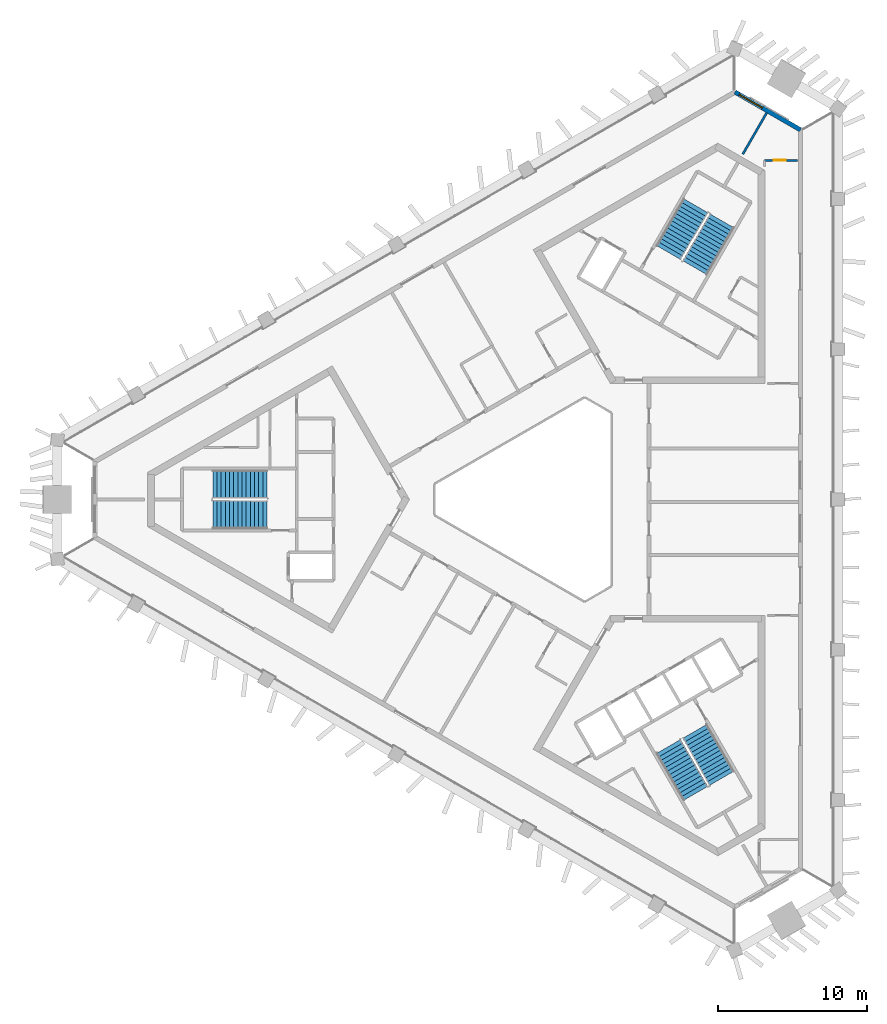
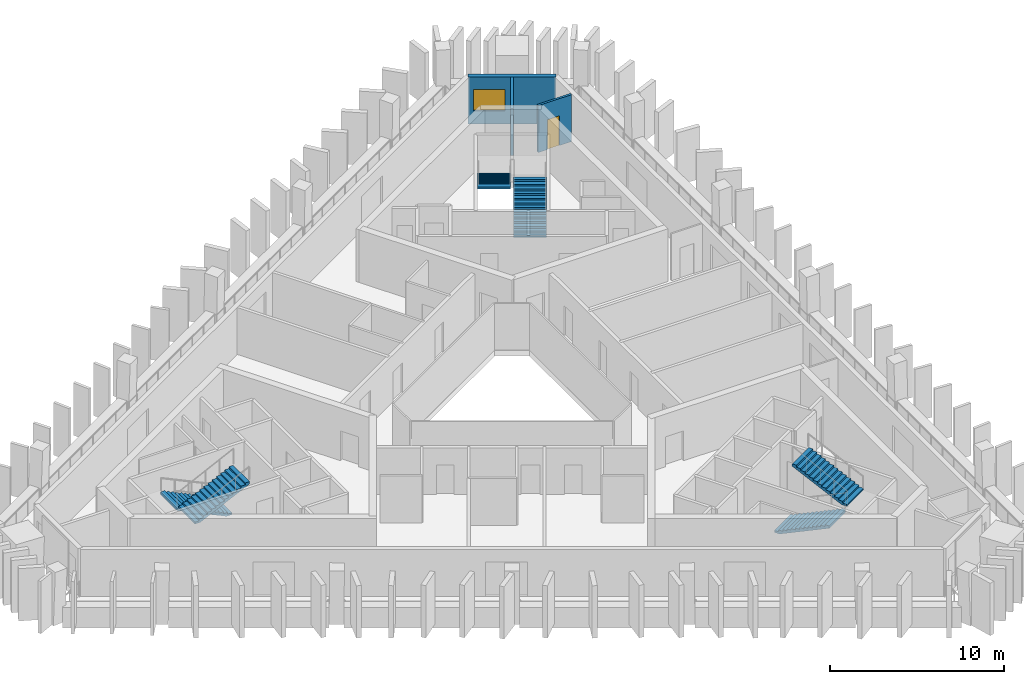
# One storey, part 6 of 9: 6 stair flights, 3 walls, 1 door, 1 window, 2 openings, 3 elements without a shape of their own.
"""IFC4 building model written with IfcOpenShell, lengths in metres."""

import ifcopenshell
import ifcopenshell.guid

model = None  # the IFC model being written
_history = None  # IfcOwnerHistory: only IFC2X3 demands one
_inside = {}  # id of a spatial element -> (the spatial element, [elements in it])
_under = {}  # id of a project, library or spatial element -> (it, [spatial elements below it])
_declared = {}  # id of a project -> (the project, [libraries it declares])
_typed = {}  # id of a type object -> (the type object, [elements of that type])
_made_of = {}  # id of a material, layer set ... -> (it, [elements and type objects made of it])


def new_model(schema):
    """Start an empty IFC model of exactly this schema.

    Asked for "IFC4X3", IfcOpenShell would pick the latest addendum, in which some entities
    have other attributes; the version numbers below select the first issue.
    IFC2X3 requires an IfcOwnerHistory on every rooted entity: one is made here for all.
    """
    global model, _history
    if schema == "IFC4X3":
        model = ifcopenshell.file(schema_version=(4, 3, 0, 0))
    else:
        model = ifcopenshell.file(schema=schema)
    _inside.clear()
    _under.clear()
    _declared.clear()
    _typed.clear()
    _made_of.clear()
    _history = None
    if model.schema == "IFC2X3":
        org = make("IfcOrganization", Name="unknown")
        user = make(
            "IfcPersonAndOrganization",
            ThePerson=make("IfcPerson", FamilyName="unknown"),
            TheOrganization=org,
        )
        app = make(
            "IfcApplication",
            ApplicationDeveloper=org,
            Version="unknown",
            ApplicationFullName="unknown",
            ApplicationIdentifier="unknown",
        )
        _history = make(
            "IfcOwnerHistory",
            OwningUser=user,
            OwningApplication=app,
            ChangeAction="ADDED",
            CreationDate=0,
        )
    return model


def make(cls, **values):
    """One entity of the class cls with the attributes given. An attribute that is None is left unset."""
    return model.create_entity(
        cls, **{name: value for name, value in values.items() if value is not None}
    )


def rooted(cls, **values):
    """An entity with a GlobalId (a new one), such as an element, a storey or a relation."""
    return make(cls, GlobalId=ifcopenshell.guid.new(), OwnerHistory=_history, **values)


def si_unit(unit_type, name, prefix=None):
    """IfcSIUnit, for example si_unit("LENGTHUNIT", "METRE", prefix="MILLI")."""
    return make("IfcSIUnit", UnitType=unit_type, Prefix=prefix, Name=name)


def assignment(units):
    """IfcUnitAssignment: the units of a project."""
    return None if units is None else make("IfcUnitAssignment", Units=units)


def point(xyz):
    """IfcCartesianPoint."""
    return None if xyz is None else make("IfcCartesianPoint", Coordinates=xyz)


def direction(xyz):
    """IfcDirection."""
    return None if xyz is None else make("IfcDirection", DirectionRatios=xyz)


def frame(location, z_axis=None, x_axis=None):
    """IfcAxis2Placement3D, a coordinate frame: its origin and axes. An axis left out is left unset."""
    return make(
        "IfcAxis2Placement3D",
        Location=point(location),
        Axis=direction(z_axis),
        RefDirection=direction(x_axis),
    )


def frame_2d(location, x_axis=None):
    """IfcAxis2Placement2D, a coordinate frame in the plane: its origin and x axis."""
    return make(
        "IfcAxis2Placement2D", Location=point(location), RefDirection=direction(x_axis)
    )


def origin():
    """The frame at (0, 0, 0) with its axes left unset."""
    return frame((0.0, 0.0, 0.0))


def place(relative_to, where):
    """IfcLocalPlacement: puts the frame where relative to a parent placement (None: the world)."""
    return make(
        "IfcLocalPlacement", PlacementRelTo=relative_to, RelativePlacement=where
    )


def context(
    kind, dimensions, precision=None, world=None, true_north=None, identifier=None
):
    """IfcGeometricRepresentationContext, for example the 3D "Model" context."""
    return make(
        "IfcGeometricRepresentationContext",
        ContextIdentifier=identifier,
        ContextType=kind,
        CoordinateSpaceDimension=dimensions,
        Precision=precision,
        WorldCoordinateSystem=world,
        TrueNorth=true_north,
    )


def subcontext(parent, identifier, kind, view, scale=None):
    """IfcGeometricRepresentationSubContext, for example "Body" below "Model"."""
    return make(
        "IfcGeometricRepresentationSubContext",
        ContextIdentifier=identifier,
        ContextType=kind,
        ParentContext=parent,
        TargetScale=scale,
        TargetView=view,
    )


def project(units=None, contexts=None):
    """IfcProject with its units and contexts."""
    return rooted(
        "IfcProject",
        Name="project",
        RepresentationContexts=contexts,
        UnitsInContext=assignment(units),
    )


def spatial(cls, under=None, at=None, **own):
    """A site, building, storey or space (cls), placed at a placement, below another one or the project."""
    s = rooted(cls, ObjectPlacement=at, **own)
    if under is not None:
        _under.setdefault(under.id(), (under, []))[1].append(s)
    return s


def polyline(points):
    """IfcPolyline through the points."""
    return make("IfcPolyline", Points=[point(p) for p in points])


def profile(cls, at=None, kind="AREA", **sizes):
    """A parametric profile (cls). Its sizes go by their IFC names, for example OverallWidth=200.0."""
    return make(cls, ProfileType=kind, Position=at, **sizes)


def rectangle(**sizes):
    """IfcRectangleProfileDef."""
    return profile("IfcRectangleProfileDef", **sizes)


def outline(outer, holes=None, kind="AREA"):
    """IfcArbitraryClosedProfileDef: a profile drawn as a closed curve; with holes, ...WithVoids."""
    if holes is None:
        return make("IfcArbitraryClosedProfileDef", ProfileType=kind, OuterCurve=outer)
    return make(
        "IfcArbitraryProfileDefWithVoids",
        ProfileType=kind,
        OuterCurve=outer,
        InnerCurves=holes,
    )


def extrude(swept, where, along, depth):
    """IfcExtrudedAreaSolid: the profile swept, set in the frame where, extruded along a direction by depth."""
    return make(
        "IfcExtrudedAreaSolid",
        SweptArea=swept,
        Position=where,
        ExtrudedDirection=direction(along),
        Depth=depth,
    )


def shape(context_of_items, identifier, shape_type, items):
    """IfcShapeRepresentation: the items that make up one representation, for example the "Body"."""
    return make(
        "IfcShapeRepresentation",
        ContextOfItems=context_of_items,
        RepresentationIdentifier=identifier,
        RepresentationType=shape_type,
        Items=items,
    )


def material(Name=None, Category=None):
    """IfcMaterial."""
    return make("IfcMaterial", Name=Name, Category=Category)


def layer(
    of_material, thickness, ventilated=None, Name=None, Category=None, Priority=None
):
    """IfcMaterialLayer: one layer of a wall or slab, of a material (None: an air gap)."""
    return make(
        "IfcMaterialLayer",
        Material=of_material,
        LayerThickness=thickness,
        IsVentilated=ventilated,
        Name=Name,
        Category=Category,
        Priority=Priority,
    )


def layer_set(layers, Name=None):
    """IfcMaterialLayerSet."""
    return make("IfcMaterialLayerSet", MaterialLayers=layers, LayerSetName=Name)


def made_of(thing, what):
    """Note that an element or type object is made of a material, layer set ...; save() writes the relation."""
    if what is not None:
        _made_of.setdefault(what.id(), (what, []))[1].append(thing)
    return thing


def type_object(cls, material=None, **own):
    """A type object (cls), such as IfcWallType, which elements share."""
    return made_of(rooted(cls, **own), material)


def element(
    cls,
    number,
    at=None,
    inside=None,
    cuts=None,
    type_object=None,
    material=None,
    context=None,
    identifier="Body",
    shape_type=None,
    held_by="IfcProductDefinitionShape",
    body=None,
    shapes=None,
    **own,
):
    """One element of the class cls, such as IfcWall. Its Tag is "e" and its number.

    at: its placement. inside: the storey or other place that contains it. cuts: it is an
    opening in that element (IfcRelVoidsElement). A single representation is given by context,
    identifier, shape_type and body (its items); several are given by shapes. held_by: the class
    of the entity that holds the representations. save() writes the other relations.
    """
    e = rooted(cls, Tag="e%d" % number, ObjectPlacement=at, **own)
    if body is not None:
        shapes = [shape(context, identifier, shape_type, body)]
    if shapes is not None:
        e.Representation = make(held_by, Representations=shapes)
    if inside is not None:
        _inside.setdefault(inside.id(), (inside, []))[1].append(e)
    if cuts is not None:
        rooted(
            "IfcRelVoidsElement", RelatingBuildingElement=cuts, RelatedOpeningElement=e
        )
    if type_object is not None:
        _typed.setdefault(type_object.id(), (type_object, []))[1].append(e)
    return made_of(e, material)


def fill(opening, filler):
    """IfcRelFillsElement: the door or window that sits in an opening."""
    return rooted(
        "IfcRelFillsElement",
        RelatingOpeningElement=opening,
        RelatedBuildingElement=filler,
    )


def aggregate(whole, parts):
    """IfcRelAggregates: a whole, such as a stair, and the parts it consists of."""
    return rooted("IfcRelAggregates", RelatingObject=whole, RelatedObjects=parts)


def save(model, path):
    """Write the relations noted so far, then the file.

    IfcRelAggregates (storeys below a building ...), IfcRelContainedInSpatialStructure (elements
    in a storey), IfcRelDefinesByType, IfcRelAssociatesMaterial and IfcRelDeclares: one each for
    every whole, place, type object, material and project.
    """
    for whole, parts in _under.values():
        aggregate(whole, parts)
    for where, things in _inside.values():
        rooted(
            "IfcRelContainedInSpatialStructure",
            RelatedElements=things,
            RelatingStructure=where,
        )
    for kind, things in _typed.values():
        rooted("IfcRelDefinesByType", RelatedObjects=things, RelatingType=kind)
    for what, things in _made_of.values():
        rooted("IfcRelAssociatesMaterial", RelatedObjects=things, RelatingMaterial=what)
    for by, libraries in _declared.values():
        rooted("IfcRelDeclares", RelatingContext=by, RelatedDefinitions=libraries)
    model.write(path)


model = new_model("IFC4")

# Units and contexts
model_context = context("Model", 3, precision=1e-05, world=origin(), true_north=direction((0.0, 1.0)))
body_context = subcontext(model_context, "Body", "Model", "MODEL_VIEW")
ifc_project = project(units=[si_unit("LENGTHUNIT", "METRE"), si_unit("AREAUNIT", "SQUARE_METRE"), si_unit("VOLUMEUNIT", "CUBIC_METRE"), si_unit("PLANEANGLEUNIT", "RADIAN"), si_unit("MASSUNIT", "GRAM", prefix="KILO")], contexts=[model_context])

# Site, building, storey
site_placement = place(None, origin())
site = spatial("IfcSite", under=ifc_project, at=site_placement, CompositionType="ELEMENT")
building_placement = place(site_placement, origin())
building = spatial("IfcBuilding", under=site, at=building_placement, Name="Jabali Bay Hotel Tower and Convention Centre", CompositionType="ELEMENT")
storey_placement = place(building_placement, frame((0.0, 0.0, 239.10009765625)))
storey = spatial("IfcBuildingStorey", under=building, at=storey_placement, Name="L59", CompositionType="ELEMENT", Elevation=239.10009765625)

# Wall, opening, window
ifc_material_1 = material(Name="Concrete C40", Category="concrete")
ifc_layer_1 = layer(ifc_material_1, 0.300048828125)
ifc_layer_set_1 = layer_set([ifc_layer_1], Name="Concrete C40")
wall_type_1 = type_object("IfcWallType", Name="External wall 300", PredefinedType="SOLIDWALL", material=ifc_layer_set_1)
wall_1_placement = place(storey_placement, frame((87.87646484375, 107.3857421875, 0.0), z_axis=(0.0, 0.0, 1.0), x_axis=(0.866029619509, -0.49999269808, 0.0)))
wall_1 = element("IfcWall", 1, at=wall_1_placement, inside=storey, type_object=wall_type_1, Name="External wall north-east chamfer L59", PredefinedType="SOLIDWALL", context=body_context, shape_type="SweptSolid", body=[
    extrude(rectangle(XDim=5.0830078125, YDim=0.300048828125, at=frame_2d((2.54150390625, 0.0))), origin(), (0.0, 0.0, 1.0), 3.2998046875),
])
opening_1_placement = place(wall_1_placement, frame((0.327880859375, 0.0, 0.89990234375)))
opening_1 = element("IfcOpeningElement", 2, at=opening_1_placement, cuts=wall_1, Name="Opening W1", PredefinedType="OPENING", context=body_context, shape_type="SweptSolid", body=[
    extrude(rectangle(XDim=1.800048828125, YDim=1.5, at=frame_2d((0.89990234375, 0.75))), frame((0.0, 0.16064453125, 0.0), z_axis=(0.0, -1.0, 0.0), x_axis=(1.0, 0.0, 0.0)), (0.0, 0.0, 1.0), 0.321044921875),
])
ifc_material_2 = material(Name="Glass", Category="glass")
window_type = type_object("IfcWindowType", Name="Window 1800 x 1500", PartitioningType="SINGLE_PANEL", PredefinedType="WINDOW", material=ifc_material_2)
window_placement = place(opening_1_placement, origin())
window = element("IfcWindow", 3, at=window_placement, inside=storey, type_object=window_type, Name="Window 5905", OverallHeight=1.5, OverallWidth=1.800048828125, PartitioningType="SINGLE_PANEL", PredefinedType="WINDOW", context=body_context, shape_type="SweptSolid", body=[
    extrude(rectangle(XDim=1.800048828125, YDim=1.5, at=frame_2d((0.89990234375, 0.75))), frame((0.0, 0.030029296875, 0.0), z_axis=(0.0, -1.0, 0.0), x_axis=(1.0, 0.0, 0.0)), (0.0, 0.0, 1.0), 0.06005859375),
])
fill(opening_1, window)

# Wall, opening, door
ifc_material_3 = material(Name="Plasterboard on steel stud", Category="steel")
ifc_layer_2 = layer(ifc_material_3, 0.14990234375)
ifc_layer_set_2 = layer_set([ifc_layer_2], Name="Plasterboard on steel stud")
wall_type_2 = type_object("IfcWallType", Name="Partition 150 wet", PredefinedType="PARTITIONING", material=ifc_layer_set_2)
wall_2_placement = place(storey_placement, frame((92.08837890625, 102.794189453125, 0.0), z_axis=(0.0, 0.0, 1.0), x_axis=(-1.0, 0.0, 0.0)))
wall_2 = element("IfcWall", 4, at=wall_2_placement, inside=storey, type_object=wall_type_2, Name="Partition P03 L59 010", PredefinedType="PARTITIONING", context=body_context, shape_type="SweptSolid", body=[
    extrude(rectangle(XDim=2.227294921875, YDim=0.14990234375, at=frame_2d((1.11376953125, 0.0))), origin(), (0.0, 0.0, 1.0), 3.2998046875),
])
opening_2_placement = place(wall_2_placement, frame((0.806884765625, 0.0, 0.0)))
opening_2 = element("IfcOpeningElement", 5, at=opening_2_placement, cuts=wall_2, Name="Opening 5908", PredefinedType="OPENING", context=body_context, shape_type="SweptSolid", body=[
    extrude(rectangle(XDim=0.800048828125, YDim=2.10009765625, at=frame_2d((0.39990234375, 1.050048828125))), frame((0.0, 0.08544921875, 0.0), z_axis=(0.0, -1.0, 0.0), x_axis=(1.0, 0.0, 0.0)), (0.0, 0.0, 1.0), 0.1708984375),
])
ifc_material_4 = material(Name="Timber", Category="wood")
door_type = type_object("IfcDoorType", Name="En-suite door 800 x 2100", OperationType="NOTDEFINED", PredefinedType="NOTDEFINED", material=ifc_material_4)
door_placement = place(opening_2_placement, origin())
door = element("IfcDoor", 6, at=door_placement, inside=storey, type_object=door_type, Name="Door 5908", OperationType="SINGLE_SWING_RIGHT", OverallHeight=2.10009765625, OverallWidth=0.800048828125, PredefinedType="NOTDEFINED", context=body_context, shape_type="SweptSolid", body=[
    extrude(rectangle(XDim=0.800048828125, YDim=2.10009765625, at=frame_2d((0.39990234375, 1.050048828125))), frame((0.0, 0.02490234375, 0.0), z_axis=(0.0, -1.0, 0.0), x_axis=(1.0, 0.0, 0.0)), (0.0, 0.0, 1.0), 0.050048828125),
])
fill(opening_2, door)

# Wall
wall_3_placement = place(storey_placement, frame((90.00390625, 105.9853515625, 0.0), z_axis=(0.0, 0.0, 1.0), x_axis=(-0.500023670775, -0.866011737025, 0.0)))
element("IfcWall", 7, at=wall_3_placement, inside=storey, type_object=wall_type_2, Name="Partition P03 L59 012", PredefinedType="PARTITIONING", context=body_context, shape_type="SweptSolid", body=[
    extrude(rectangle(XDim=3.203857421875, YDim=0.14990234375, at=frame_2d((1.60205078125, 0.0))), origin(), (0.0, 0.0, 1.0), 3.2998046875),
])

# Stair, stair flights
stair_type = type_object("IfcStairType", Name="Exit stair 1900", PredefinedType="HALF_TURN_STAIR", material=ifc_material_1)
stair_1_placement = place(storey_placement, origin())
stair_1 = element("IfcStair", 8, at=stair_1_placement, inside=storey, type_object=stair_type, Name="L59 Exit Stair 1", PredefinedType="HALF_TURN_STAIR")
stair_flight_type = type_object("IfcStairFlightType", Name="Stair flight concrete 150", PredefinedType="STRAIGHT", material=ifc_material_1)
stair_flight_1_placement = place(storey_placement, frame((56.419921875, 81.02490234375, 0.0), z_axis=(0.0, 0.0, 1.0), x_axis=(-1.0, 0.0, 0.0)))
stair_flight_1 = element("IfcStairFlight", 9, at=stair_flight_1_placement, type_object=stair_flight_type, Name="ST1 flight 1", NumberOfRisers=14, NumberOfTreads=13, PredefinedType="STRAIGHT", RiserHeight=0.132142857, TreadLength=0.28, context=body_context, shape_type="SweptSolid", body=[
    extrude(outline(polyline([(0.0, 0.0), (0.0, 0.132080078125), (0.280029296875, 0.132080078125), (0.280029296875, 0.264404296875), (0.56005859375, 0.264404296875), (0.56005859375, 0.396484375), (0.840087890625, 0.396484375), (0.840087890625, 0.528564453125), (1.1201171875, 0.528564453125), (1.1201171875, 0.66064453125), (1.39990234375, 0.66064453125), (1.39990234375, 0.79296875), (1.679931640625, 0.79296875), (1.679931640625, 0.925048828125), (1.9599609375, 0.925048828125), (1.9599609375, 1.05712890625), (2.239990234375, 1.05712890625), (2.239990234375, 1.189208984375), (2.52001953125, 1.189208984375), (2.52001953125, 1.321533203125), (2.800048828125, 1.321533203125), (2.800048828125, 1.45361328125), (3.080078125, 1.45361328125), (3.080078125, 1.585693359375), (3.360107421875, 1.585693359375), (3.360107421875, 1.7177734375), (3.639892578125, 1.7177734375), (3.639892578125, 1.85009765625), (3.639892578125, 1.552001953125), (0.351318359375, 0.0), (0.0, 0.0)])), frame((0.0, 0.949951171875, 0.0), z_axis=(0.0, -1.0, 0.0), x_axis=(1.0, 0.0, 0.0)), (0.0, 0.0, 1.0), 1.89990234375),
])
stair_flight_2_placement = place(storey_placement, frame((52.780029296875, 78.97509765625, 1.849853515625), z_axis=(0.0, 0.0, 1.0), x_axis=(1.0, 0.0, 0.0)))
stair_flight_2 = element("IfcStairFlight", 10, at=stair_flight_2_placement, type_object=stair_flight_type, Name="ST1 flight 2", NumberOfRisers=14, NumberOfTreads=13, PredefinedType="STRAIGHT", RiserHeight=0.132142857, TreadLength=0.28, context=body_context, shape_type="SweptSolid", body=[
    extrude(outline(polyline([(0.0, 0.0), (0.0, 0.132080078125), (0.280029296875, 0.132080078125), (0.280029296875, 0.264404296875), (0.56005859375, 0.264404296875), (0.56005859375, 0.396484375), (0.840087890625, 0.396484375), (0.840087890625, 0.528564453125), (1.1201171875, 0.528564453125), (1.1201171875, 0.66064453125), (1.39990234375, 0.66064453125), (1.39990234375, 0.79296875), (1.679931640625, 0.79296875), (1.679931640625, 0.925048828125), (1.9599609375, 0.925048828125), (1.9599609375, 1.05712890625), (2.239990234375, 1.05712890625), (2.239990234375, 1.189208984375), (2.52001953125, 1.189208984375), (2.52001953125, 1.321533203125), (2.800048828125, 1.321533203125), (2.800048828125, 1.45361328125), (3.080078125, 1.45361328125), (3.080078125, 1.585693359375), (3.360107421875, 1.585693359375), (3.360107421875, 1.7177734375), (3.639892578125, 1.7177734375), (3.639892578125, 1.85009765625), (3.639892578125, 1.552001953125), (0.351318359375, 0.0), (0.0, 0.0)])), frame((0.0, 0.949951171875, 0.0), z_axis=(0.0, -1.0, 0.0), x_axis=(1.0, 0.0, 0.0)), (0.0, 0.0, 1.0), 1.89990234375),
])
aggregate(stair_1, [stair_flight_1, stair_flight_2])

stair_2_placement = place(storey_placement, origin())
stair_2 = element("IfcStair", 11, at=stair_2_placement, inside=storey, type_object=stair_type, Name="L59 Exit Stair 2", PredefinedType="HALF_TURN_STAIR")
stair_flight_3_placement = place(storey_placement, frame((85.177734375, 95.578369140625, 0.0), z_axis=(0.0, 0.0, 1.0), x_axis=(0.5, 0.866025403784, 0.0)))
stair_flight_3 = element("IfcStairFlight", 12, at=stair_flight_3_placement, type_object=stair_flight_type, Name="ST2 flight 1", NumberOfRisers=14, NumberOfTreads=13, PredefinedType="STRAIGHT", RiserHeight=0.132142857, TreadLength=0.28, context=body_context, shape_type="SweptSolid", body=[
    extrude(outline(polyline([(0.0, 0.0), (0.0, 0.132080078125), (0.280029296875, 0.132080078125), (0.280029296875, 0.264404296875), (0.56005859375, 0.264404296875), (0.56005859375, 0.396484375), (0.840087890625, 0.396484375), (0.840087890625, 0.528564453125), (1.1201171875, 0.528564453125), (1.1201171875, 0.66064453125), (1.39990234375, 0.66064453125), (1.39990234375, 0.79296875), (1.679931640625, 0.79296875), (1.679931640625, 0.925048828125), (1.9599609375, 0.925048828125), (1.9599609375, 1.05712890625), (2.239990234375, 1.05712890625), (2.239990234375, 1.189208984375), (2.52001953125, 1.189208984375), (2.52001953125, 1.321533203125), (2.800048828125, 1.321533203125), (2.800048828125, 1.45361328125), (3.080078125, 1.45361328125), (3.080078125, 1.585693359375), (3.360107421875, 1.585693359375), (3.360107421875, 1.7177734375), (3.639892578125, 1.7177734375), (3.639892578125, 1.85009765625), (3.639892578125, 1.552001953125), (0.351318359375, 0.0), (0.0, 0.0)])), frame((0.0, 0.949951171875, 0.0), z_axis=(0.0, -1.0, 0.0), x_axis=(1.0, 0.0, 0.0)), (0.0, 0.0, 1.0), 1.89990234375),
])
stair_flight_4_placement = place(storey_placement, frame((85.222412109375, 99.755615234375, 1.849853515625), z_axis=(0.0, 0.0, 1.0), x_axis=(-0.5, -0.866025403784, 0.0)))
stair_flight_4 = element("IfcStairFlight", 13, at=stair_flight_4_placement, type_object=stair_flight_type, Name="ST2 flight 2", NumberOfRisers=14, NumberOfTreads=13, PredefinedType="STRAIGHT", RiserHeight=0.132142857, TreadLength=0.28, context=body_context, shape_type="SweptSolid", body=[
    extrude(outline(polyline([(0.0, 0.0), (0.0, 0.132080078125), (0.280029296875, 0.132080078125), (0.280029296875, 0.264404296875), (0.56005859375, 0.264404296875), (0.56005859375, 0.396484375), (0.840087890625, 0.396484375), (0.840087890625, 0.528564453125), (1.1201171875, 0.528564453125), (1.1201171875, 0.66064453125), (1.39990234375, 0.66064453125), (1.39990234375, 0.79296875), (1.679931640625, 0.79296875), (1.679931640625, 0.925048828125), (1.9599609375, 0.925048828125), (1.9599609375, 1.05712890625), (2.239990234375, 1.05712890625), (2.239990234375, 1.189208984375), (2.52001953125, 1.189208984375), (2.52001953125, 1.321533203125), (2.800048828125, 1.321533203125), (2.800048828125, 1.45361328125), (3.080078125, 1.45361328125), (3.080078125, 1.585693359375), (3.360107421875, 1.585693359375), (3.360107421875, 1.7177734375), (3.639892578125, 1.7177734375), (3.639892578125, 1.85009765625), (3.639892578125, 1.552001953125), (0.351318359375, 0.0), (0.0, 0.0)])), frame((0.0, 0.949951171875, 0.0), z_axis=(0.0, -1.0, 0.0), x_axis=(1.0, 0.0, 0.0)), (0.0, 0.0, 1.0), 1.89990234375),
])
aggregate(stair_2, [stair_flight_3, stair_flight_4])

stair_3_placement = place(storey_placement, origin())
stair_3 = element("IfcStair", 14, at=stair_3_placement, inside=storey, type_object=stair_type, Name="L59 Exit Stair 3", PredefinedType="HALF_TURN_STAIR")
stair_flight_5_placement = place(storey_placement, frame((83.40234375, 63.396728515625, 0.0), z_axis=(0.0, 0.0, 1.0), x_axis=(0.5, -0.866025403784, 0.0)))
stair_flight_5 = element("IfcStairFlight", 15, at=stair_flight_5_placement, type_object=stair_flight_type, Name="ST3 flight 1", NumberOfRisers=14, NumberOfTreads=13, PredefinedType="STRAIGHT", RiserHeight=0.132142857, TreadLength=0.28, context=body_context, shape_type="SweptSolid", body=[
    extrude(outline(polyline([(0.0, 0.0), (0.0, 0.132080078125), (0.280029296875, 0.132080078125), (0.280029296875, 0.264404296875), (0.56005859375, 0.264404296875), (0.56005859375, 0.396484375), (0.840087890625, 0.396484375), (0.840087890625, 0.528564453125), (1.1201171875, 0.528564453125), (1.1201171875, 0.66064453125), (1.39990234375, 0.66064453125), (1.39990234375, 0.79296875), (1.679931640625, 0.79296875), (1.679931640625, 0.925048828125), (1.9599609375, 0.925048828125), (1.9599609375, 1.05712890625), (2.239990234375, 1.05712890625), (2.239990234375, 1.189208984375), (2.52001953125, 1.189208984375), (2.52001953125, 1.321533203125), (2.800048828125, 1.321533203125), (2.800048828125, 1.45361328125), (3.080078125, 1.45361328125), (3.080078125, 1.585693359375), (3.360107421875, 1.585693359375), (3.360107421875, 1.7177734375), (3.639892578125, 1.7177734375), (3.639892578125, 1.85009765625), (3.639892578125, 1.552001953125), (0.351318359375, 0.0), (0.0, 0.0)])), frame((0.0, 0.949951171875, 0.0), z_axis=(0.0, -1.0, 0.0), x_axis=(1.0, 0.0, 0.0)), (0.0, 0.0, 1.0), 1.89990234375),
])
stair_flight_6_placement = place(storey_placement, frame((86.99755859375, 61.26953125, 1.849853515625), z_axis=(0.0, 0.0, 1.0), x_axis=(-0.5, 0.866025403784, 0.0)))
stair_flight_6 = element("IfcStairFlight", 16, at=stair_flight_6_placement, type_object=stair_flight_type, Name="ST3 flight 2", NumberOfRisers=14, NumberOfTreads=13, PredefinedType="STRAIGHT", RiserHeight=0.132142857, TreadLength=0.28, context=body_context, shape_type="SweptSolid", body=[
    extrude(outline(polyline([(0.0, 0.0), (0.0, 0.132080078125), (0.280029296875, 0.132080078125), (0.280029296875, 0.264404296875), (0.56005859375, 0.264404296875), (0.56005859375, 0.396484375), (0.840087890625, 0.396484375), (0.840087890625, 0.528564453125), (1.1201171875, 0.528564453125), (1.1201171875, 0.66064453125), (1.39990234375, 0.66064453125), (1.39990234375, 0.79296875), (1.679931640625, 0.79296875), (1.679931640625, 0.925048828125), (1.9599609375, 0.925048828125), (1.9599609375, 1.05712890625), (2.239990234375, 1.05712890625), (2.239990234375, 1.189208984375), (2.52001953125, 1.189208984375), (2.52001953125, 1.321533203125), (2.800048828125, 1.321533203125), (2.800048828125, 1.45361328125), (3.080078125, 1.45361328125), (3.080078125, 1.585693359375), (3.360107421875, 1.585693359375), (3.360107421875, 1.7177734375), (3.639892578125, 1.7177734375), (3.639892578125, 1.85009765625), (3.639892578125, 1.552001953125), (0.351318359375, 0.0), (0.0, 0.0)])), frame((0.0, 0.949951171875, 0.0), z_axis=(0.0, -1.0, 0.0), x_axis=(1.0, 0.0, 0.0)), (0.0, 0.0, 1.0), 1.89990234375),
])
aggregate(stair_3, [stair_flight_5, stair_flight_6])

save(model, "model.ifc")
